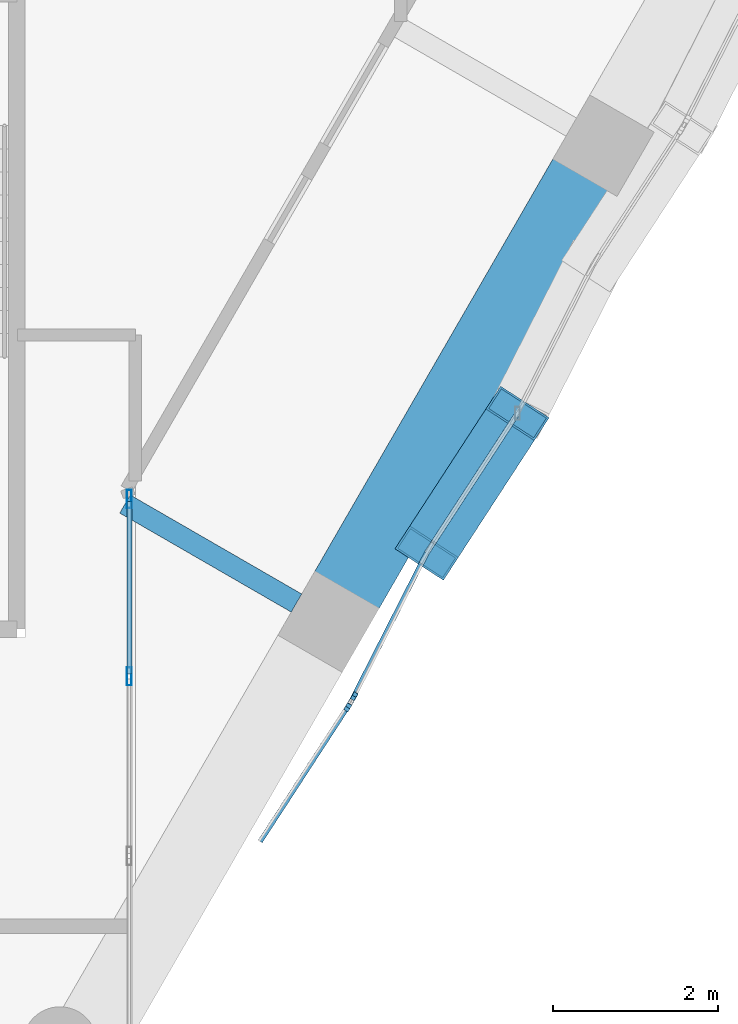
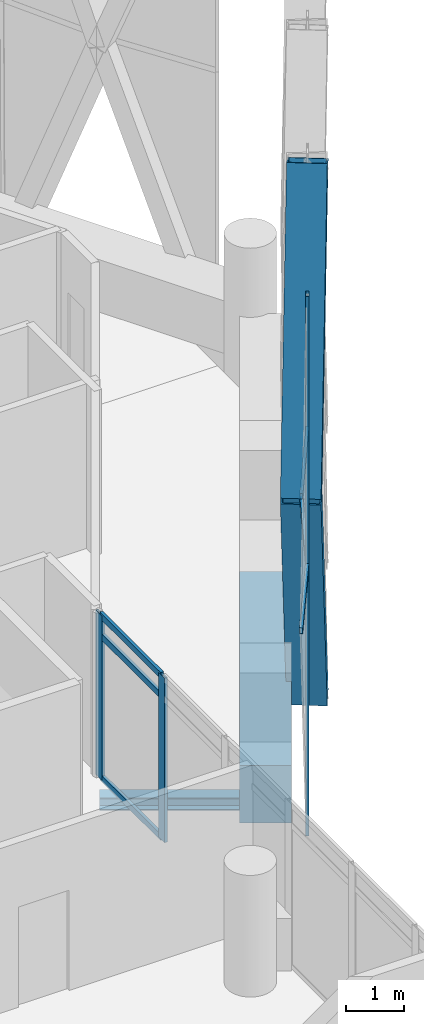
# One storey, part 13 of 37: 12 members, 2 beams, 3 elements without a shape of their own.
"""IFC4 building model written with IfcOpenShell, lengths in metres."""

from ifc_helpers import new_model, si_unit, direction, frame, origin, origin_2d, place, context, subcontext, project, spatial, rectangle, hollow_rectangle, i_section, extrude, material, material_profile, profile_set, type_object, element, aggregate, save


model = new_model("IFC4")

# Units and contexts
model_context = context("Model", 3, precision=1e-05, world=origin(), true_north=direction((0.0, 1.0)))
body_context = subcontext(model_context, "Body", "Model", "MODEL_VIEW")
ifc_project = project(units=[si_unit("LENGTHUNIT", "METRE"), si_unit("AREAUNIT", "SQUARE_METRE"), si_unit("VOLUMEUNIT", "CUBIC_METRE"), si_unit("PLANEANGLEUNIT", "RADIAN"), si_unit("MASSUNIT", "GRAM", prefix="KILO")], contexts=[model_context])

# Site, building, storey
site_placement = place(None, origin())
site = spatial("IfcSite", under=ifc_project, at=site_placement, CompositionType="ELEMENT")
building_placement = place(site_placement, origin())
building = spatial("IfcBuilding", under=site, at=building_placement, Name="Ostrander Bayou Hotel Tower", CompositionType="ELEMENT")
storey_placement = place(building_placement, frame((0.0, 0.0, 225.75)))
storey = spatial("IfcBuildingStorey", under=building, at=storey_placement, Name="L56", CompositionType="ELEMENT", Elevation=225.75)

# Curtain wall, members
ifc_material_1 = material(Name="Aluminium and clear glass", Category="aluminium")
curtain_wall_type_1 = type_object("IfcCurtainWallType", Name="CW-BAR glazed wall", PredefinedType="NOTDEFINED", material=ifc_material_1)
curtain_wall_1_placement = place(storey_placement, origin())
curtain_wall_1 = element("IfcCurtainWall", 1, at=curtain_wall_1_placement, inside=storey, type_object=curtain_wall_type_1, Name="CW-BAR L56:SB5S:W", PredefinedType="NOTDEFINED")
ifc_material_2 = material(Name="Aluminium", Category="aluminium")
ifc_material_profile_1 = material_profile(ifc_material_2, hollow_rectangle(XDim=0.06005859375, YDim=0.219970703125, WallThickness=0.00390625, at=origin_2d()))
ifc_profile_set_1 = profile_set([ifc_material_profile_1], Name="Aluminium")
member_type_1 = type_object("IfcMemberType", Name="CW-BR mullion 60 x 220 mm", PredefinedType="MULLION", material=ifc_profile_set_1)
member_1_placement = place(storey_placement, frame((10.51220703125, -9.822265625, 0.0), z_axis=(0.0, 0.0, 1.0), x_axis=(1.0, 0.0, 0.0)))
member_1 = element("IfcMember", 2, at=member_1_placement, type_object=member_type_1, Name="CW-BAR mullion 1", PredefinedType="MULLION", context=body_context, shape_type="SweptSolid", body=[
    extrude(hollow_rectangle(XDim=0.06005859375, YDim=0.219970703125, WallThickness=0.00390625, at=origin_2d()), origin(), (0.0, 0.0, 1.0), 3.449951171875),
])
member_2_placement = place(storey_placement, frame((10.51220703125, -11.970703125, 0.0), z_axis=(0.0, 0.0, 1.0), x_axis=(1.0, 0.0, 0.0)))
member_2 = element("IfcMember", 3, at=member_2_placement, type_object=member_type_1, Name="CW-BAR mullion 2", PredefinedType="MULLION", context=body_context, shape_type="SweptSolid", body=[
    extrude(hollow_rectangle(XDim=0.06005859375, YDim=0.219970703125, WallThickness=0.00390625, at=origin_2d()), origin(), (0.0, 0.0, 1.0), 3.449951171875),
])
ifc_material_3 = material(Name="Aluminium", Category="aluminium")
ifc_material_profile_2 = material_profile(ifc_material_3, hollow_rectangle(XDim=0.06005859375, YDim=0.1298828125, WallThickness=0.00390625, at=origin_2d()))
ifc_profile_set_2 = profile_set([ifc_material_profile_2], Name="Aluminium")
member_type_2 = type_object("IfcMemberType", Name="CW-BR transom 60 x 130 mm", PredefinedType="USERDEFINED", material=ifc_profile_set_2)
member_3_placement = place(storey_placement, frame((10.51220703125, -9.852294921875, 0.030029296875), z_axis=(0.0, -1.0, 0.0), x_axis=(1.0, 0.0, 0.0)))
member_3 = element("IfcMember", 4, at=member_3_placement, type_object=member_type_2, Name="CW-BAR transom 1.1", ObjectType="TRANSOM", PredefinedType="USERDEFINED", context=body_context, shape_type="SweptSolid", body=[
    extrude(hollow_rectangle(XDim=0.06005859375, YDim=0.1298828125, WallThickness=0.00390625, at=origin_2d()), origin(), (0.0, 0.0, 1.0), 2.08837890625),
])
member_4_placement = place(storey_placement, frame((10.51220703125, -9.852294921875, 3.0), z_axis=(0.0, -1.0, 0.0), x_axis=(1.0, 0.0, 0.0)))
member_4 = element("IfcMember", 5, at=member_4_placement, type_object=member_type_2, Name="CW-BAR transom 1.2", ObjectType="TRANSOM", PredefinedType="USERDEFINED", context=body_context, shape_type="SweptSolid", body=[
    extrude(hollow_rectangle(XDim=0.06005859375, YDim=0.1298828125, WallThickness=0.00390625, at=origin_2d()), origin(), (0.0, 0.0, 1.0), 2.08837890625),
])
member_5_placement = place(storey_placement, frame((10.51220703125, -9.852294921875, 3.419921875), z_axis=(0.0, -1.0, 0.0), x_axis=(1.0, 0.0, 0.0)))
member_5 = element("IfcMember", 6, at=member_5_placement, type_object=member_type_2, Name="CW-BAR transom 1.3", ObjectType="TRANSOM", PredefinedType="USERDEFINED", context=body_context, shape_type="SweptSolid", body=[
    extrude(hollow_rectangle(XDim=0.06005859375, YDim=0.1298828125, WallThickness=0.00390625, at=origin_2d()), origin(), (0.0, 0.0, 1.0), 2.08837890625),
])
aggregate(curtain_wall_1, [member_1, member_2, member_3, member_4, member_5])

ifc_material_4 = material(Name="Aluminium and clear glass", Category="aluminium")
curtain_wall_type_2 = type_object("IfcCurtainWallType", Name="CW-LAT lattice glazing", PredefinedType="NOTDEFINED", material=ifc_material_4)
curtain_wall_2_placement = place(storey_placement, origin())
curtain_wall_2 = element("IfcCurtainWall", 7, at=curtain_wall_2_placement, inside=storey, type_object=curtain_wall_type_2, Name="CW-LAT L56 SE 1", PredefinedType="NOTDEFINED")
ifc_material_5 = material(Name="Aluminium", Category="aluminium")
ifc_material_profile_3 = material_profile(ifc_material_5, hollow_rectangle(XDim=0.06005859375, YDim=0.159912109375, WallThickness=0.00390625, at=origin_2d()))
ifc_profile_set_3 = profile_set([ifc_material_profile_3], Name="Aluminium")
member_type_3 = type_object("IfcMemberType", Name="CW-LA mullion 60 x 160 mm", PredefinedType="MULLION", material=ifc_profile_set_3)
member_6_placement = place(storey_placement, frame((13.17529296875, -12.31982421875, -0.60009765625), z_axis=(0.004166521053, 0.007248010581, 0.999965052612), x_axis=(-0.86696238118, 0.498373584391, 0.0)))
member_6 = element("IfcMember", 8, at=member_6_placement, type_object=member_type_3, Name="CW-LAT mullion 1", PredefinedType="MULLION", context=body_context, shape_type="SweptSolid", body=[
    extrude(hollow_rectangle(XDim=0.06005859375, YDim=0.159912109375, WallThickness=0.00390625, at=origin_2d()), origin(), (0.0, 0.0, 1.0), 5.625244140625),
])
member_7_placement = place(storey_placement, frame((13.19873046875, -12.279052734375, 5.02490234375), z_axis=(0.00420992022, 0.007291408216, 0.999964555341), x_axis=(-0.866013897511, 0.50001992892, 0.0)))
member_7 = element("IfcMember", 9, at=member_7_placement, type_object=member_type_3, Name="CW-LAT mullion 2", PredefinedType="MULLION", context=body_context, shape_type="SweptSolid", body=[
    extrude(hollow_rectangle(XDim=0.06005859375, YDim=0.159912109375, WallThickness=0.00390625, at=origin_2d()), origin(), (0.0, 0.0, 1.0), 5.625244140625),
])
aggregate(curtain_wall_2, [member_6, member_7])

curtain_wall_3_placement = place(storey_placement, origin())
curtain_wall_3 = element("IfcCurtainWall", 10, at=curtain_wall_3_placement, inside=storey, type_object=curtain_wall_type_2, Name="CW-LAT L56 SE 2", PredefinedType="NOTDEFINED")
ifc_material_6 = material(Name="Aluminium", Category="aluminium")
ifc_material_profile_4 = material_profile(ifc_material_6, hollow_rectangle(XDim=0.06005859375, YDim=0.1201171875, WallThickness=0.00390625, at=origin_2d()))
ifc_profile_set_4 = profile_set([ifc_material_profile_4], Name="Aluminium")
member_type_4 = type_object("IfcMemberType", Name="CW-LA transom 60 x 120 mm", PredefinedType="USERDEFINED", material=ifc_profile_set_4)
member_8_placement = place(storey_placement, frame((13.19873046875, -12.279052734375, 5.02490234375), z_axis=(-0.545209239684, -0.838299996996, 0.0), x_axis=(0.838299996996, -0.545209239684, 0.0)))
member_8 = element("IfcMember", 11, at=member_8_placement, type_object=member_type_4, Name="CW-LAT transom 3", ObjectType="TRANSOM", PredefinedType="USERDEFINED", context=body_context, shape_type="SweptSolid", body=[
    extrude(hollow_rectangle(XDim=0.06005859375, YDim=0.1201171875, WallThickness=0.00390625, at=origin_2d()), origin(), (0.0, 0.0, 1.0), 2.02001953125),
])
member_9_placement = place(storey_placement, frame((13.19873046875, -12.279052734375, 5.02490234375), z_axis=(0.45343871684, 0.891287456475, 0.0), x_axis=(-0.891287456475, 0.45343871684, 0.0)))
member_9 = element("IfcMember", 12, at=member_9_placement, type_object=member_type_4, Name="CW-LAT transom 4", ObjectType="TRANSOM", PredefinedType="USERDEFINED", context=body_context, shape_type="SweptSolid", body=[
    extrude(hollow_rectangle(XDim=0.06005859375, YDim=0.1201171875, WallThickness=0.00390625, at=origin_2d()), origin(), (0.0, 0.0, 1.0), 2.020263671875),
])
member_10_placement = place(storey_placement, frame((15.216064453125, -8.784912109375, 5.02490234375), z_axis=(-0.545154004176, -0.838335918192, 0.0), x_axis=(0.838335918192, -0.545154004176, 0.0)))
member_10 = element("IfcMember", 13, at=member_10_placement, type_object=member_type_4, Name="CW-LAT transom 7", ObjectType="TRANSOM", PredefinedType="USERDEFINED", context=body_context, shape_type="SweptSolid", body=[
    extrude(hollow_rectangle(XDim=0.06005859375, YDim=0.1201171875, WallThickness=0.00390625, at=origin_2d()), origin(), (0.0, 0.0, 1.0), 2.020263671875),
])
aggregate(curtain_wall_3, [member_8, member_9, member_10])

# Beam
ifc_material_7 = material(Name="Steel ASTM A992", Category="steel")
ifc_material_profile_5 = material_profile(ifc_material_7, i_section(OverallWidth=0.25390625, OverallDepth=0.25341796875, WebThickness=0.008544921875, FlangeThickness=0.01416015625, at=origin_2d()))
ifc_profile_set_5 = profile_set([ifc_material_profile_5], Name="Steel ASTM A992")
beam_type_1 = type_object("IfcBeamType", Name="LB2 loggia bracket W10x49", PredefinedType="BEAM", material=ifc_profile_set_5)
beam_1_placement = place(storey_placement, frame((12.5380859375, -11.083251953125, -0.4267578125), z_axis=(-0.866024647952, 0.500001309137, 0.0), x_axis=(-0.500001309137, -0.866024647952, 0.0)))
element("IfcBeam", 14, at=beam_1_placement, inside=storey, type_object=beam_type_1, Name="LB2 L56 SE1", PredefinedType="BEAM", context=body_context, shape_type="SweptSolid", body=[
    extrude(i_section(OverallWidth=0.25390625, OverallDepth=0.25341796875, WebThickness=0.008544921875, FlangeThickness=0.01416015625, at=origin_2d()), origin(), (0.0, 0.0, 1.0), 2.39990234375),
])

# Members
ifc_material_8 = material(Name="Steel ASTM A572 Gr 50", Category="steel")
ifc_material_profile_6 = material_profile(ifc_material_8, hollow_rectangle(XDim=0.699951171875, YDim=0.35009765625, WallThickness=0.02490234375, at=origin_2d()))
ifc_profile_set_6 = profile_set([ifc_material_profile_6], Name="Steel ASTM A572 Gr 50")
member_type_5 = type_object("IfcMemberType", Name="LT1 lattice member box 700 x 350 x 25 mm", PredefinedType="BRACE", material=ifc_profile_set_6)
for number, where, z_axis, x_axis, name in (
    (15, (14.11474609375, -10.478515625, 5.02490234375), (0.184266374171, 0.283364184799, -0.941143263336), (-0.838335918192, 0.545154004176, 0.0), "LT1 L56 SE 1"),
    (16, (14.11474609375, -10.478515625, 5.02490234375), (0.184266374171, 0.283364184799, 0.941143263336), (-0.838335918192, 0.545154004176, 0.0), "LT1 L56 SE 2"),
):
    element("IfcMember", number, at=place(storey_placement, frame(where, z_axis=z_axis, x_axis=x_axis)), inside=storey, type_object=member_type_5, Name=name, PredefinedType="BRACE", context=body_context, shape_type="SweptSolid", body=[
        extrude(hollow_rectangle(XDim=0.699951171875, YDim=0.35009765625, WallThickness=0.02490234375, at=origin_2d()), origin(), (0.0, 0.0, 1.0), 5.976806640625),
    ])

# Beam
ifc_material_9 = material(Name="Concrete f'c 60 MPa", Category="concrete")
ifc_material_profile_7 = material_profile(ifc_material_9, rectangle(XDim=0.89990234375, YDim=1.199951171875, at=origin_2d()))
ifc_profile_set_7 = profile_set([ifc_material_profile_7], Name="Concrete f'c 60 MPa")
beam_type_2 = type_object("IfcBeamType", Name="SP4 spandrel beam 900 x 1200 mm f'c 60 MPa", PredefinedType="SPANDREL", material=ifc_profile_set_7)
beam_2_placement = place(storey_placement, frame((13.1376953125, -10.944580078125, -0.60009765625), z_axis=(0.500015433515, 0.866016493057, 0.0), x_axis=(-0.866016493057, 0.500015433515, 0.0)))
element("IfcBeam", 17, at=beam_2_placement, inside=storey, type_object=beam_type_2, Name="SP4 L56 SE-2", PredefinedType="SPANDREL", context=body_context, shape_type="SweptSolid", body=[
    extrude(rectangle(XDim=0.89990234375, YDim=1.199951171875, at=origin_2d()), origin(), (0.0, 0.0, 1.0), 5.818603515625),
])

save(model, "model.ifc")
